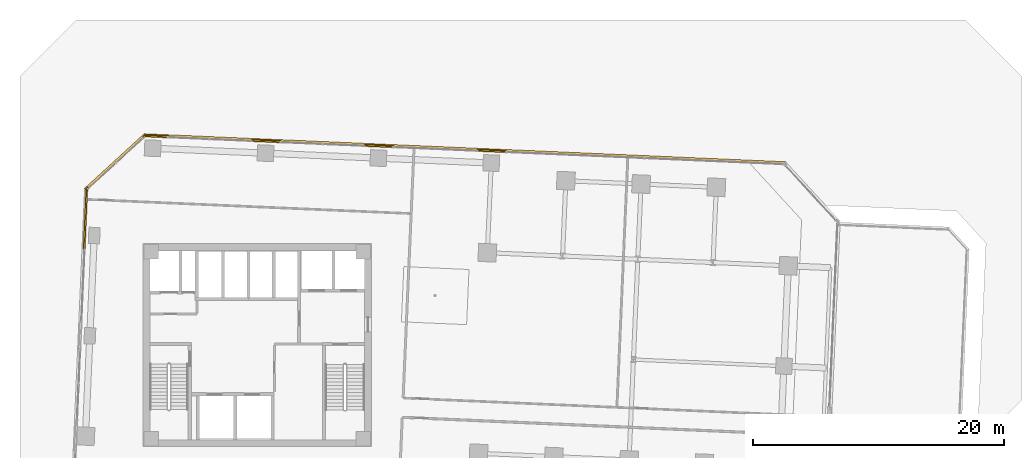
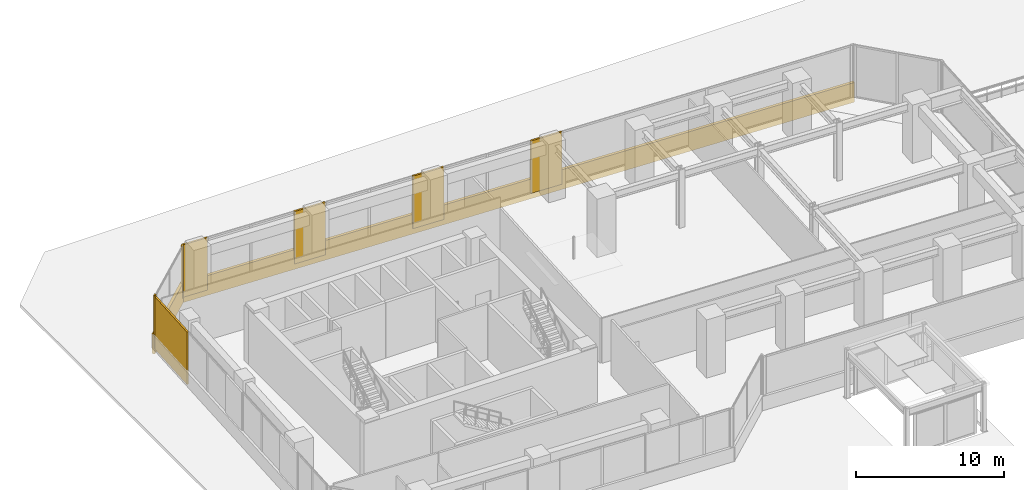
# One storey, part 32 of 33: 10 coverings.
"""IFC4 building model written with IfcOpenShell, lengths in metres."""

from ifc_helpers import new_model, si_unit, direction, frame, origin, origin_2d, place, context, subcontext, project, spatial, rectangle, extrude, source, transform, mapped, material, layer, layer_set, type_object, element, save


model = new_model("IFC4")

# Units and contexts
model_context = context("Model", 3, precision=1e-05, world=origin(), true_north=direction((0.0, 1.0)))
body_context = subcontext(model_context, "Body", "Model", "MODEL_VIEW")
ifc_project = project(units=[si_unit("LENGTHUNIT", "METRE"), si_unit("AREAUNIT", "SQUARE_METRE"), si_unit("VOLUMEUNIT", "CUBIC_METRE"), si_unit("PLANEANGLEUNIT", "RADIAN"), si_unit("MASSUNIT", "GRAM", prefix="KILO")], contexts=[model_context])

# Site, building, storey
site_placement = place(None, origin())
site = spatial("IfcSite", under=ifc_project, at=site_placement, CompositionType="ELEMENT")
building_placement = place(site_placement, origin())
building = spatial("IfcBuilding", under=site, at=building_placement, Name="Torre Montelarca", CompositionType="ELEMENT")
storey_placement = place(building_placement, frame((0.0, 0.0, 32.800048828125)))
storey = spatial("IfcBuildingStorey", under=building, at=storey_placement, Name="L07", CompositionType="ELEMENT", Elevation=32.800048828125)

# Coverings
ifc_material = material(Name="Bush-hammered warm white precast concrete C45/55", Category="concrete")
ifc_layer = layer(ifc_material, 0.139892578125, Name="Bush-hammered warm white precast concrete C45/55", Category="concrete")
ifc_layer_set = layer_set([ifc_layer], Name="Bush-hammered warm white precast concrete C45/55")
covering_type = type_object("IfcCoveringType", Name="COV-TRAY-CLAD", PredefinedType="CLADDING", material=ifc_layer_set)
shared_shape_1 = source(origin(), body_context, "Body", "SweptSolid", [
    extrude(rectangle(XDim=1.864013671875, YDim=0.139892578125, at=origin_2d()), origin(), (0.0, 0.0, 1.0), 4.320068359375),
])
covering_1_placement = place(storey_placement, frame((9.96240234375, 48.629150390625, 0.0), z_axis=(0.0, 0.0, 1.0), x_axis=(-0.99904814545, 0.043621131033, 0.0)))
element("IfcCovering", 1, at=covering_1_placement, inside=storey, type_object=covering_type, Name="L07 Architectural Column Pier Cladding E08-5", PredefinedType="CLADDING", context=body_context, shape_type="MappedRepresentation", body=[
    mapped(shared_shape_1, transform((0.0, 0.0, 0.0), scale=1.0)),
])
shared_shape_2 = source(origin(), body_context, "Body", "SweptSolid", [
    extrude(rectangle(XDim=2.360107421875, YDim=0.139892578125, at=origin_2d()), origin(), (0.0, 0.0, 1.0), 4.320068359375),
])
for number, where, z_axis, x_axis, name in (
    (2, (36.68896484375, 47.462158203125, 0.0), (0.0, 0.0, 1.0), (-0.99904814545, 0.043621131033, 0.0), "L07 Architectural Column Pier Cladding E08-2"),
    (3, (27.697509765625, 47.854736328125, 0.0), (0.0, 0.0, 1.0), (-0.99904814545, 0.043621131033, 0.0), "L07 Architectural Column Pier Cladding E08-3"),
    (4, (18.7060546875, 48.247314453125, 0.0), (0.0, 0.0, 1.0), (-0.99904814545, 0.043621131033, 0.0), "L07 Architectural Column Pier Cladding E08-4"),
):
    element("IfcCovering", number, at=place(storey_placement, frame(where, z_axis=z_axis, x_axis=x_axis)), inside=storey, type_object=covering_type, Name=name, PredefinedType="CLADDING", context=body_context, shape_type="MappedRepresentation", body=[
        mapped(shared_shape_2, transform((0.0, 0.0, 0.0), scale=1.0)),
    ])
shared_shape_3 = source(origin(), body_context, "Body", "SweptSolid", [
    extrude(rectangle(XDim=0.199951171875, YDim=0.139892578125, at=origin_2d()), origin(), (0.0, 0.0, 1.0), 4.320068359375),
])
for number, where, z_axis, x_axis, name in (
    (5, (8.99462890625, 48.61572265625, 0.0), (0.0, 0.0, 1.0), (-0.737272620283, -0.675595354766, 0.0), "L07 Architectural Column Pier Cladding E09-1"),
    (6, (4.473388671875, 44.472900390625, 0.0), (0.0, 0.0, 1.0), (-0.737272620283, -0.675595354766, 0.0), "L07 Architectural Column Pier Cladding E09-2"),
    (7, (4.412109375, 44.34130859375, 0.0), (0.0, 0.0, 1.0), (-0.043619387365, -0.999048221582, 0.0), "L07 Architectural Column Pier Cladding E10-1"),
):
    element("IfcCovering", number, at=place(storey_placement, frame(where, z_axis=z_axis, x_axis=x_axis)), inside=storey, type_object=covering_type, Name=name, PredefinedType="CLADDING", context=body_context, shape_type="MappedRepresentation", body=[
        mapped(shared_shape_3, transform((0.0, 0.0, 0.0), scale=1.0)),
    ])
shared_shape_4 = source(origin(), body_context, "Body", "SweptSolid", [
    extrude(rectangle(XDim=4.76416015625, YDim=0.139892578125, at=origin_2d()), origin(), (0.0, 0.0, 1.0), 4.320068359375),
])
covering_2_placement = place(storey_placement, frame((4.30810546875, 41.96142578125, 0.0), z_axis=(0.0, 0.0, 1.0), x_axis=(-0.043619387365, -0.999048221582, 0.0)))
element("IfcCovering", 8, at=covering_2_placement, inside=storey, type_object=covering_type, Name="L07 Architectural Column Pier Cladding E10-2", PredefinedType="CLADDING", context=body_context, shape_type="MappedRepresentation", body=[
    mapped(shared_shape_4, transform((0.0, 0.0, 0.0), scale=1.0)),
])
shared_shape_5 = source(origin(), body_context, "Body", "SweptSolid", [
    extrude(rectangle(XDim=6.48388671875, YDim=0.219970703125, at=origin_2d()), origin(), (0.0, 0.0, 1.0), 1.6201171875),
])
covering_3_placement = place(storey_placement, frame((6.693603515625, 46.58837890625, -0.4501953125), z_axis=(0.0, 0.0, 1.0), x_axis=(-0.737271441145, -0.675596641548, 0.0)))
element("IfcCovering", 9, at=covering_3_placement, inside=storey, type_object=covering_type, Name="L07 Architectural White Spandrel Tray Band TRYBOT-09", PredefinedType="CLADDING", context=body_context, shape_type="MappedRepresentation", body=[
    mapped(shared_shape_5, transform((0.0, 0.0, 0.0), scale=1.0)),
])
shared_shape_6 = source(origin(), body_context, "Body", "SweptSolid", [
    extrude(rectangle(XDim=51.219970703125, YDim=0.219970703125, at=origin_2d()), origin(), (0.0, 0.0, 1.0), 1.6201171875),
])
covering_4_placement = place(storey_placement, frame((34.543701171875, 47.615966796875, -0.4501953125), z_axis=(0.0, 0.0, 1.0), x_axis=(-0.99904814545, 0.043621131033, 0.0)))
element("IfcCovering", 10, at=covering_4_placement, inside=storey, type_object=covering_type, Name="L07 Architectural White Spandrel Tray Band TRYBOT-08", PredefinedType="CLADDING", context=body_context, shape_type="MappedRepresentation", body=[
    mapped(shared_shape_6, transform((0.0, 0.0, 0.0), scale=1.0)),
])

save(model, "model.ifc")
